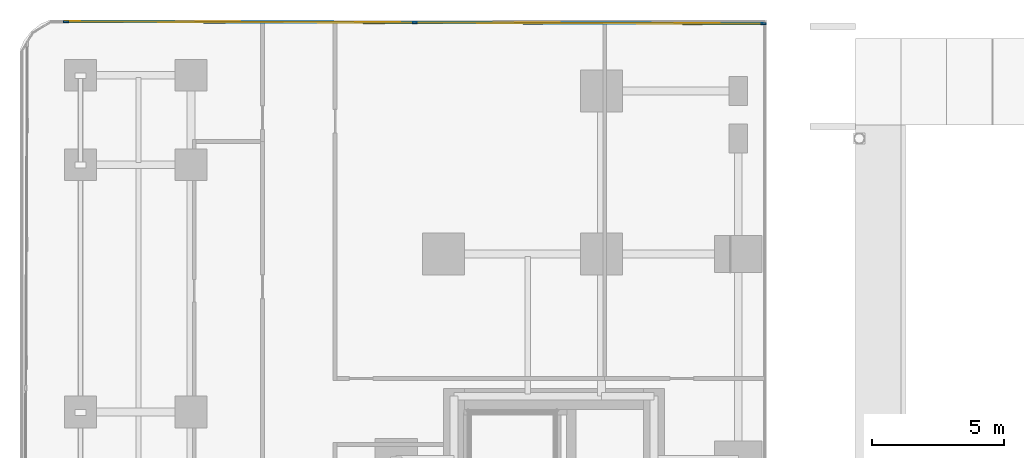
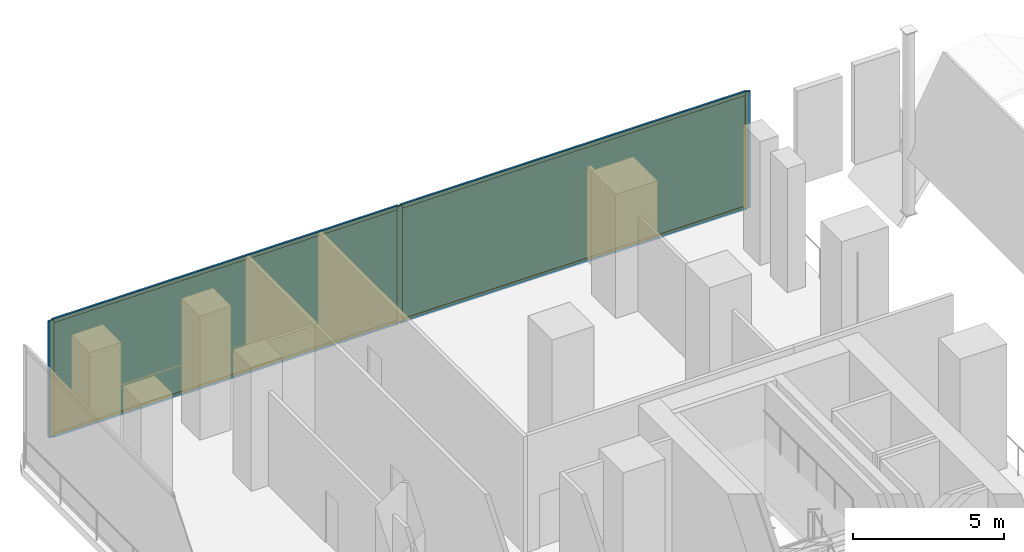
# One storey, part 17 of 31: 7 members, 2 plates, 1 curtain wall.
"""IFC4 building model written with IfcOpenShell, lengths in metres."""

from ifc_helpers import new_model, si_unit, direction, frame, frame_2d, origin, origin_2d, place, context, subcontext, project, spatial, rectangle, extrude, material, layer, layer_set, material_profile, profile_set, type_object, element, aggregate, save


model = new_model("IFC4")

# Units and contexts
model_context = context("Model", 3, precision=1e-05, world=origin(), true_north=direction((0.0, 1.0)))
body_context = subcontext(model_context, "Body", "Model", "MODEL_VIEW")
ifc_project = project(units=[si_unit("LENGTHUNIT", "METRE"), si_unit("AREAUNIT", "SQUARE_METRE"), si_unit("VOLUMEUNIT", "CUBIC_METRE"), si_unit("PLANEANGLEUNIT", "RADIAN"), si_unit("MASSUNIT", "GRAM", prefix="KILO")], contexts=[model_context])

# Member
ifc_material_1 = material(Name="Anodised Bronze Aluminium 6063-T6", Category="aluminium")
ifc_material_profile_1 = material_profile(ifc_material_1, rectangle(XDim=0.074951171875, YDim=0.199951171875, at=origin_2d()))
ifc_profile_set_1 = profile_set([ifc_material_profile_1], Name="Anodised Bronze Aluminium 6063-T6")
member_type_1 = type_object("IfcMemberType", Name="CW-POD Mullion 75x200", PredefinedType="MULLION", material=ifc_profile_set_1)
site_placement = place(None, origin())
building_placement = place(site_placement, origin())
storey_placement = place(building_placement, frame((0.0, 0.0, 11.0)))
member_1_placement = place(storey_placement, frame((-34.751953125, 27.43994140625, 0.0), z_axis=(0.0, 0.0, 1.0), x_axis=(0.003136561032, 0.99999508098, 0.0)))
member_1 = element("IfcMember", 1, at=member_1_placement, type_object=member_type_1, Name="CW-POD mullion 1", PredefinedType="MULLION", context=body_context, shape_type="SweptSolid", body=[
    extrude(rectangle(XDim=0.074951171875, YDim=0.199951171875, at=origin_2d()), origin(), (0.0, 0.0, 1.0), 4.699951171875),
])

member_2_placement = place(storey_placement, frame((-21.49462890625, 27.398193359375, 0.0), z_axis=(0.0, 0.0, 1.0), x_axis=(0.003136561032, 0.99999508098, 0.0)))
member_2 = element("IfcMember", 2, at=member_2_placement, type_object=member_type_1, Name="CW-POD mullion 2", PredefinedType="MULLION", context=body_context, shape_type="SweptSolid", body=[
    extrude(rectangle(XDim=0.074951171875, YDim=0.199951171875, at=origin_2d()), origin(), (0.0, 0.0, 1.0), 4.699951171875),
])

member_3_placement = place(storey_placement, frame((-8.237548828125, 27.356689453125, 0.0), z_axis=(0.0, 0.0, 1.0), x_axis=(0.003136561032, 0.99999508098, 0.0)))
member_3 = element("IfcMember", 3, at=member_3_placement, type_object=member_type_1, Name="CW-POD mullion 3", PredefinedType="MULLION", context=body_context, shape_type="SweptSolid", body=[
    extrude(rectangle(XDim=0.074951171875, YDim=0.199951171875, at=origin_2d()), origin(), (0.0, 0.0, 1.0), 4.699951171875),
])

ifc_material_2 = material(Name="Anodised Bronze Aluminium 6063-T6", Category="aluminium")
ifc_material_profile_2 = material_profile(ifc_material_2, rectangle(XDim=0.074951171875, YDim=0.159912109375, at=origin_2d()))
ifc_profile_set_2 = profile_set([ifc_material_profile_2], Name="Anodised Bronze Aluminium 6063-T6")
member_type_2 = type_object("IfcMemberType", Name="CW-POD Transom 75x160", PredefinedType="USERDEFINED", material=ifc_profile_set_2)
member_4_placement = place(storey_placement, frame((-34.714599609375, 27.439697265625, 0.03759765625), z_axis=(0.999995101838, -0.003129904106, 0.0), x_axis=(0.003129904106, 0.999995101838, 0.0)))
member_4 = element("IfcMember", 4, at=member_4_placement, type_object=member_type_2, Name="CW-POD transom 1.1", ObjectType="TRANSOM", PredefinedType="USERDEFINED", context=body_context, shape_type="SweptSolid", body=[
    extrude(rectangle(XDim=0.074951171875, YDim=0.159912109375, at=origin_2d()), origin(), (0.0, 0.0, 1.0), 13.182373046875),
])

member_5_placement = place(storey_placement, frame((-34.714599609375, 27.439697265625, 4.66259765625), z_axis=(0.999995101838, -0.003129904106, 0.0), x_axis=(0.003129904106, 0.999995101838, 0.0)))
member_5 = element("IfcMember", 5, at=member_5_placement, type_object=member_type_2, Name="CW-POD transom 1.2", ObjectType="TRANSOM", PredefinedType="USERDEFINED", context=body_context, shape_type="SweptSolid", body=[
    extrude(rectangle(XDim=0.074951171875, YDim=0.159912109375, at=origin_2d()), origin(), (0.0, 0.0, 1.0), 13.182373046875),
])

member_6_placement = place(storey_placement, frame((-21.457275390625, 27.398193359375, 0.03759765625), z_axis=(0.999995101838, -0.003129904106, 0.0), x_axis=(0.003129904106, 0.999995101838, 0.0)))
member_6 = element("IfcMember", 6, at=member_6_placement, type_object=member_type_2, Name="CW-POD transom 2.1", ObjectType="TRANSOM", PredefinedType="USERDEFINED", context=body_context, shape_type="SweptSolid", body=[
    extrude(rectangle(XDim=0.074951171875, YDim=0.159912109375, at=origin_2d()), origin(), (0.0, 0.0, 1.0), 13.182373046875),
])

member_7_placement = place(storey_placement, frame((-21.457275390625, 27.398193359375, 4.66259765625), z_axis=(0.999995101838, -0.003129904106, 0.0), x_axis=(0.003129904106, 0.999995101838, 0.0)))
member_7 = element("IfcMember", 7, at=member_7_placement, type_object=member_type_2, Name="CW-POD transom 2.2", ObjectType="TRANSOM", PredefinedType="USERDEFINED", context=body_context, shape_type="SweptSolid", body=[
    extrude(rectangle(XDim=0.074951171875, YDim=0.159912109375, at=origin_2d()), origin(), (0.0, 0.0, 1.0), 13.182373046875),
])

# Plate
ifc_material_3 = material(Name="Low-E Solar Control Laminated Glass", Category="glass")
ifc_layer_1 = layer(ifc_material_3, 0.031982421875, Name="Low-E Solar Control Laminated Glass")
ifc_layer_set_1 = layer_set([ifc_layer_1], Name="Low-E Solar Control Laminated Glass")
plate_type = type_object("IfcPlateType", Name="CW-POD Low-E Double Glazed Panel 32mm", PredefinedType="CURTAIN_PANEL", material=ifc_layer_set_1)
plate_1_placement = place(storey_placement, frame((-28.123291015625, 27.419189453125, 0.0751953125), z_axis=(0.0, 0.0, 1.0), x_axis=(0.99999508098, -0.003136561032, 0.0)))
plate_1 = element("IfcPlate", 8, at=plate_1_placement, type_object=plate_type, Name="CW-POD panel 1.1", PredefinedType="CURTAIN_PANEL", context=body_context, shape_type="SweptSolid", body=[
    extrude(rectangle(XDim=13.182373046875, YDim=0.031982421875, at=origin_2d()), origin(), (0.0, 0.0, 1.0), 4.550048828125),
])

plate_2_placement = place(storey_placement, frame((-14.8662109375, 27.37744140625, 0.0751953125), z_axis=(0.0, 0.0, 1.0), x_axis=(0.99999508098, -0.003136561032, 0.0)))
plate_2 = element("IfcPlate", 9, at=plate_2_placement, type_object=plate_type, Name="CW-POD panel 2.1", PredefinedType="CURTAIN_PANEL", context=body_context, shape_type="SweptSolid", body=[
    extrude(rectangle(XDim=13.182373046875, YDim=0.031982421875, at=origin_2d()), origin(), (0.0, 0.0, 1.0), 4.550048828125),
])

# Site, building, storey
site = spatial("IfcSite", under=ifc_project, at=site_placement, CompositionType="ELEMENT")
building = spatial("IfcBuilding", under=site, at=building_placement, Name="Khairoan Windgate Tower", CompositionType="ELEMENT")
storey = spatial("IfcBuildingStorey", under=building, at=storey_placement, Name="L03", CompositionType="ELEMENT", Elevation=11.0)

# Curtain wall
ifc_material_4 = material(Name="Anodised Bronze Aluminium 6063-T6", Category="aluminium")
ifc_layer_2 = layer(ifc_material_4, 0.199951171875, Name="Anodised Bronze Aluminium 6063-T6")
ifc_layer_set_2 = layer_set([ifc_layer_2], Name="Anodised Bronze Aluminium 6063-T6")
curtain_wall_type = type_object("IfcCurtainWallType", Name="Podium Arch Galleria Curtain Wall CW-POD", PredefinedType="NOTDEFINED", material=ifc_layer_set_2)
curtain_wall_placement = place(storey_placement, frame((-34.78955078125, 27.43994140625, 0.0), z_axis=(0.0, 0.0, 1.0), x_axis=(0.999995098465, -0.003130981522, 0.0)))
curtain_wall = element("IfcCurtainWall", 10, at=curtain_wall_placement, inside=storey, type_object=curtain_wall_type, Name="L03 Sculpted Podium Wing Curtain Wall 1.6", PredefinedType="NOTDEFINED", context=body_context, shape_type="SweptSolid", body=[
    extrude(rectangle(XDim=26.58984375, YDim=0.010009765625, at=frame_2d((13.294921875, 0.0))), origin(), (0.0, 0.0, 1.0), 4.699951171875),
])

aggregate(curtain_wall, [member_1, member_2, member_3, member_4, member_5, plate_1, member_6, member_7, plate_2])

save(model, "model.ifc")
